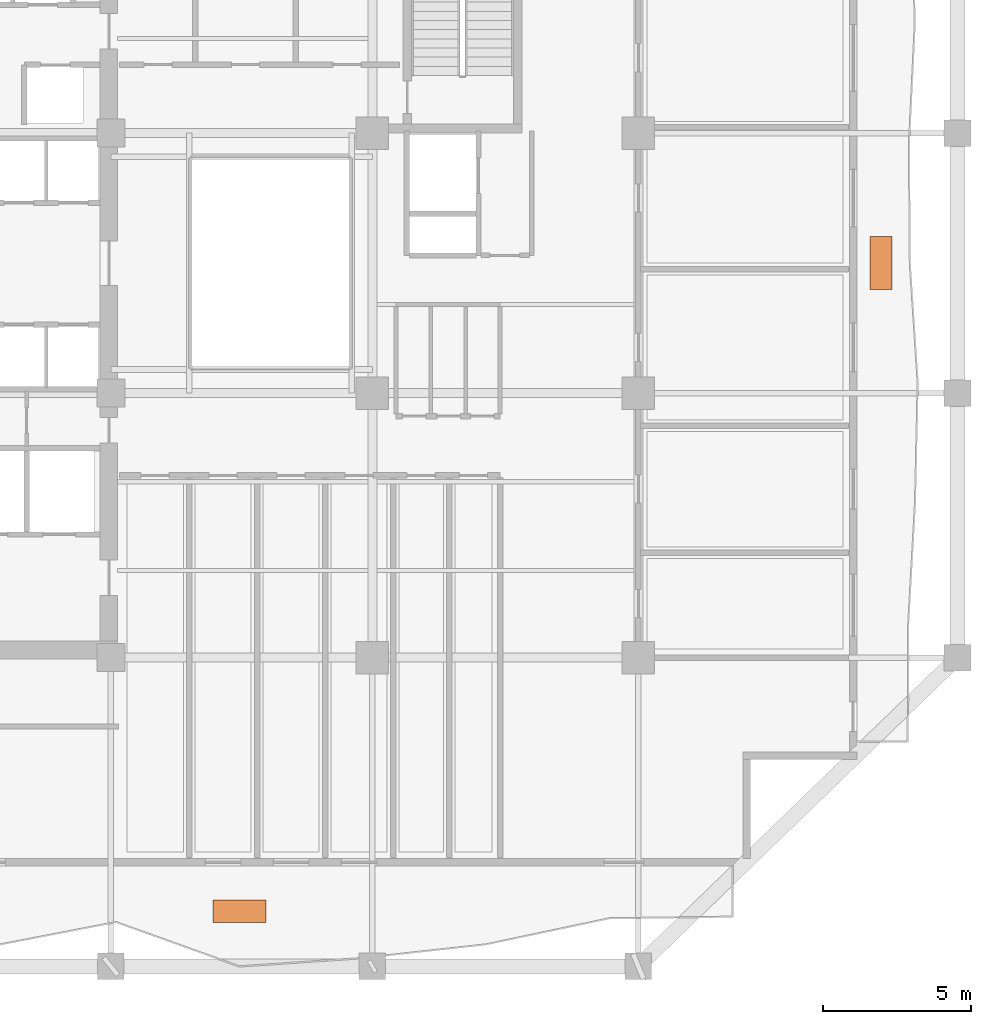
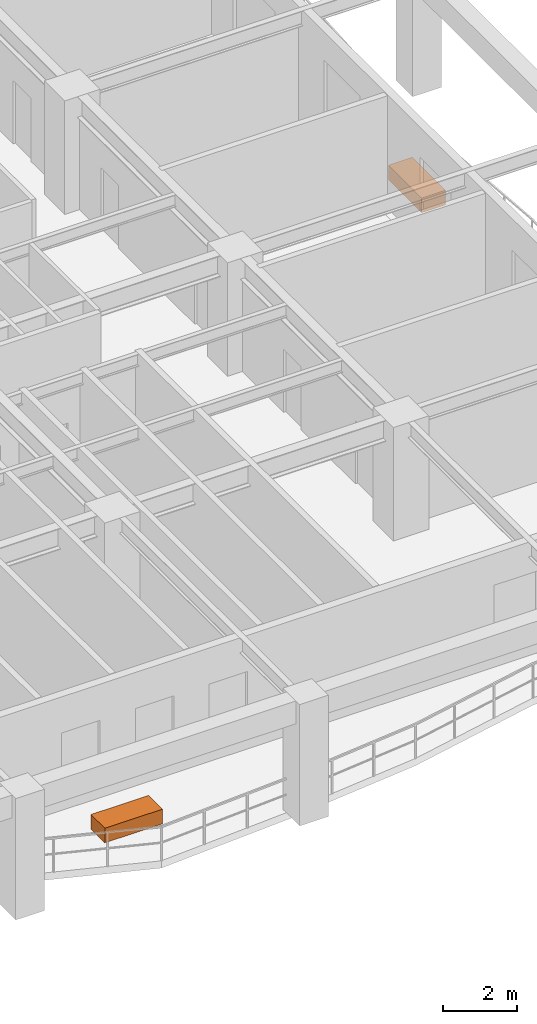
# One storey, part 11 of 11: 2 proxies.
"""IFC4 building model written with IfcOpenShell, lengths in metres."""

from ifc_helpers import new_model, si_unit, direction, frame, origin, origin_2d, place, context, subcontext, project, spatial, rectangle, extrude, material, type_object, element, save


model = new_model("IFC4")

# Units and contexts
model_context = context("Model", 3, precision=1e-05, world=origin(), true_north=direction((0.0, 1.0)))
body_context = subcontext(model_context, "Body", "Model", "MODEL_VIEW")
ifc_project = project(units=[si_unit("LENGTHUNIT", "METRE"), si_unit("AREAUNIT", "SQUARE_METRE"), si_unit("VOLUMEUNIT", "CUBIC_METRE"), si_unit("PLANEANGLEUNIT", "RADIAN"), si_unit("MASSUNIT", "GRAM", prefix="KILO")], contexts=[model_context])

# Site, building, storey
site_placement = place(None, origin())
site = spatial("IfcSite", under=ifc_project, at=site_placement, CompositionType="ELEMENT")
building_placement = place(site_placement, origin())
building = spatial("IfcBuilding", under=site, at=building_placement, Name="Kundavana Baori Tower", CompositionType="ELEMENT")
storey_placement = place(building_placement, frame((0.0, 0.0, 82.0)))
storey = spatial("IfcBuildingStorey", under=building, at=storey_placement, Name="L19", CompositionType="ELEMENT", Elevation=82.0)

# Proxies
ifc_material = material(Name="Red-Buff Dholpur Sandstone Cladding on Concrete C40/50", Category="masonry")
building_element_proxy_type = type_object("IfcBuildingElementProxyType", Name="PRX-PLANTER-1800", PredefinedType="USERDEFINED", material=ifc_material)
for number, where, z_axis, x_axis, name in (
    (1, (29.300048828125, 6.669921875, 0.0), (0.0, 0.0, 1.0), (1.0, 0.0, 0.0), "L19 Dholpur Stone Structural Tree Planter S"),
    (2, (51.007080078125, 28.60009765625, 0.0), (0.0, 0.0, 1.0), (0.0, 1.0, 0.0), "L19 Dholpur Stone Structural Tree Planter E"),
):
    element("IfcBuildingElementProxy", number, at=place(storey_placement, frame(where, z_axis=z_axis, x_axis=x_axis)), inside=storey, type_object=building_element_proxy_type, Name=name, ObjectType="PLANTER", PredefinedType="USERDEFINED", context=body_context, shape_type="SweptSolid", body=[
        extrude(rectangle(XDim=1.800048828125, YDim=0.75, at=origin_2d()), origin(), (0.0, 0.0, 1.0), 0.47998046875),
    ])

save(model, "model.ifc")
